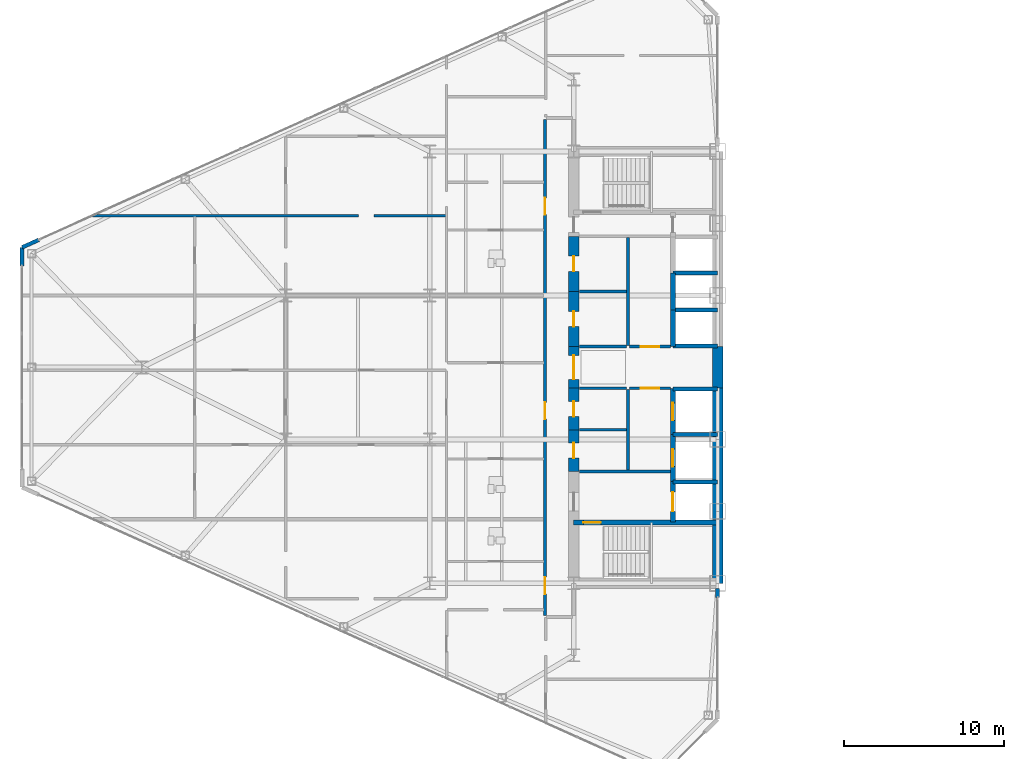
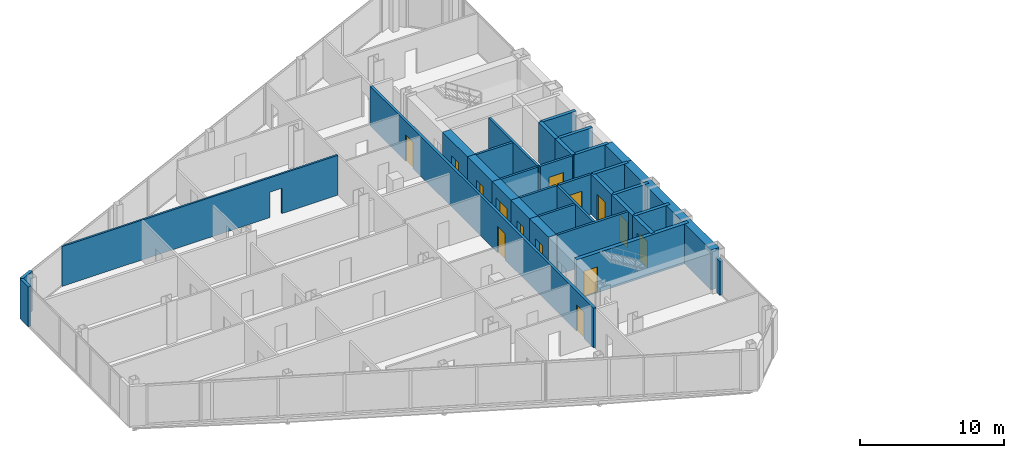
# One storey, part 20 of 27: 33 walls, 14 doors, 15 openings.
"""IFC4 building model written with IfcOpenShell, lengths in metres."""

from ifc_helpers import new_model, si_unit, direction, frame, frame_2d, origin, place, context, subcontext, project, spatial, rectangle, extrude, source, transform, mapped, material, layer, layer_set, type_object, type_shapes, element, fill, save


model = new_model("IFC4")

# Units and contexts
model_context = context("Model", 3, precision=1e-05, world=origin(), true_north=direction((0.0, 1.0)))
body_context = subcontext(model_context, "Body", "Model", "MODEL_VIEW")
ifc_project = project(units=[si_unit("LENGTHUNIT", "METRE"), si_unit("AREAUNIT", "SQUARE_METRE"), si_unit("VOLUMEUNIT", "CUBIC_METRE"), si_unit("PLANEANGLEUNIT", "RADIAN"), si_unit("MASSUNIT", "GRAM", prefix="KILO")], contexts=[model_context])

# Site, building, storey
site_placement = place(None, origin())
site = spatial("IfcSite", under=ifc_project, at=site_placement, CompositionType="ELEMENT")
building_placement = place(site_placement, origin())
building = spatial("IfcBuilding", under=site, at=building_placement, Name="Seokmaru Belvedere", CompositionType="ELEMENT")
storey_placement = place(building_placement, frame((0.0, 0.0, 69.300048828125)))
storey = spatial("IfcBuildingStorey", under=building, at=storey_placement, Name="L18", CompositionType="ELEMENT", Elevation=69.300048828125)

# Wall, opening
ifc_material_1 = material(Name="Fire-Rated Gypsum Shaftwall")
ifc_layer_1 = layer(ifc_material_1, 0.14990234375)
ifc_layer_set_1 = layer_set([ifc_layer_1], Name="Fire-Rated Gypsum Shaftwall")
wall_type_1 = type_object("IfcWallType", Name="Apartment Fire-Acoustic Room Partition 150", PredefinedType="PARTITIONING", material=ifc_layer_set_1)
wall_1_placement = place(storey_placement, frame((-66.62890625, 9.47998046875, 0.0), z_axis=(0.0, 0.0, 1.0), x_axis=(1.0, 0.0, 0.0)))
wall_1 = element("IfcWall", 1, at=wall_1_placement, inside=storey, type_object=wall_type_1, Name="L18 Interior Partition 021", PredefinedType="PARTITIONING", context=body_context, shape_type="SweptSolid", body=[
    extrude(rectangle(XDim=22.12890625, YDim=0.14990234375, at=frame_2d((11.064453125, 0.0))), origin(), (0.0, 0.0, 1.0), 3.3798828125),
])
opening_1_placement = place(wall_1_placement, frame((16.678955078125, 0.0, 0.0)))
element("IfcOpeningElement", 2, at=opening_1_placement, cuts=wall_1, Name="L18 Cased Opening 026", PredefinedType="OPENING", context=body_context, shape_type="SweptSolid", body=[
    extrude(rectangle(XDim=0.949951171875, YDim=2.14990234375, at=frame_2d((0.47509765625, 1.074951171875))), frame((0.0, 0.0849609375, 0.0), z_axis=(0.0, -1.0, 0.0), x_axis=(1.0, 0.0, 0.0)), (0.0, 0.0, 1.0), 0.169921875),
])

# Walls
ifc_layer_2 = layer(ifc_material_1, 0.179931640625)
ifc_layer_set_2 = layer_set([ifc_layer_2], Name="Fire-Rated Gypsum Shaftwall")
wall_type_2 = type_object("IfcWallType", Name="Core Service Fire Partition 180", PredefinedType="PARTITIONING", material=ifc_layer_set_2)
wall_2_placement = place(storey_placement, frame((-36.14990234375, -6.5, 0.0), z_axis=(0.0, 0.0, 1.0), x_axis=(1.0, 0.0, 0.0)))
element("IfcWall", 3, at=wall_2_placement, inside=storey, type_object=wall_type_2, Name="L18 West Firefighting Lobby Partition", PredefinedType="PARTITIONING", context=body_context, shape_type="SweptSolid", body=[
    extrude(rectangle(XDim=5.699951171875, YDim=0.179931640625, at=frame_2d((2.85009765625, 0.0))), origin(), (0.0, 0.0, 1.0), 3.3798828125),
])
wall_3_placement = place(storey_placement, frame((-33.10009765625, -6.419921875, 0.0), z_axis=(0.0, 0.0, 1.0), x_axis=(0.0, 1.0, 0.0)))
element("IfcWall", 4, at=wall_3_placement, inside=storey, type_object=wall_type_2, Name="L18 West South Core Service Back Wall", PredefinedType="PARTITIONING", context=body_context, shape_type="SweptSolid", body=[
    extrude(rectangle(XDim=5.0400390625, YDim=0.179931640625, at=frame_2d((2.52001953125, 0.0))), origin(), (0.0, 0.0, 1.0), 3.3798828125),
])
wall_4_placement = place(storey_placement, frame((-33.10009765625, 1.3798828125, 0.0), z_axis=(0.0, 0.0, 1.0), x_axis=(0.0, 1.0, 0.0)))
element("IfcWall", 5, at=wall_4_placement, inside=storey, type_object=wall_type_2, Name="L18 West North Core Service Back Wall", PredefinedType="PARTITIONING", context=body_context, shape_type="SweptSolid", body=[
    extrude(rectangle(XDim=6.740234375, YDim=0.179931640625, at=frame_2d((3.3701171875, 0.0))), origin(), (0.0, 0.0, 1.0), 3.3798828125),
])

# Wall, opening, door
wall_5_placement = place(storey_placement, frame((-33.02001953125, -1.300048828125, 0.0), z_axis=(0.0, 0.0, 1.0), x_axis=(1.0, 0.0, 0.0)))
wall_5 = element("IfcWall", 6, at=wall_5_placement, inside=storey, type_object=wall_type_2, Name="L18 West South Lift Lobby Foyer Wall", PredefinedType="PARTITIONING", context=body_context, shape_type="SweptSolid", body=[
    extrude(rectangle(XDim=2.570068359375, YDim=0.179931640625, at=frame_2d((1.28515625, 0.0))), origin(), (0.0, 0.0, 1.0), 3.3798828125),
])
opening_2_placement = place(wall_5_placement, frame((0.7099609375, 0.0, 0.0)))
opening_2 = element("IfcOpeningElement", 7, at=opening_2_placement, cuts=wall_5, Name="Opening D02", PredefinedType="OPENING", context=body_context, shape_type="SweptSolid", body=[
    extrude(rectangle(XDim=1.14990234375, YDim=2.199951171875, at=frame_2d((0.574951171875, 1.10009765625))), frame((0.0, 0.10009765625, 0.0), z_axis=(0.0, -1.0, 0.0), x_axis=(1.0, 0.0, 0.0)), (0.0, 0.0, 1.0), 0.199951171875),
])
ifc_material_2 = material(Name="Fire-Rated Steel Leaf", Category="steel")
door_type_1 = type_object("IfcDoorType", Name="Lobby and Vestibule Fire Door 1150x2200", OperationType="NOTDEFINED", PredefinedType="DOOR", material=ifc_material_2)
shared_shape_1 = source(origin(), body_context, "Body", "SweptSolid", [
    extrude(rectangle(XDim=1.14990234375, YDim=2.199951171875, at=frame_2d((0.574951171875, 1.10009765625))), frame((0.0, 0.02490234375, 0.0), z_axis=(0.0, -1.0, 0.0), x_axis=(1.0, 0.0, 0.0)), (0.0, 0.0, 1.0), 0.050048828125),
])
type_shapes(door_type_1, [shared_shape_1])
door_1_placement = place(opening_2_placement, origin())
door_1 = element("IfcDoor", 8, at=door_1_placement, inside=storey, type_object=door_type_1, Name="L18 West South Core Foyer Door", OperationType="SINGLE_SWING_LEFT", OverallHeight=2.199951171875, OverallWidth=1.14990234375, PredefinedType="DOOR", context=body_context, shape_type="MappedRepresentation", body=[
    mapped(shared_shape_1, transform((0.0, 0.0, 0.0), scale=1.0)),
])
fill(opening_2, door_1)

wall_6_placement = place(storey_placement, frame((-33.02001953125, 1.300048828125, 0.0), z_axis=(0.0, 0.0, 1.0), x_axis=(1.0, 0.0, 0.0)))
wall_6 = element("IfcWall", 9, at=wall_6_placement, inside=storey, type_object=wall_type_2, Name="L18 West North Lift Lobby Foyer Wall", PredefinedType="PARTITIONING", context=body_context, shape_type="SweptSolid", body=[
    extrude(rectangle(XDim=2.570068359375, YDim=0.179931640625, at=frame_2d((1.28515625, 0.0))), origin(), (0.0, 0.0, 1.0), 3.3798828125),
])
opening_3_placement = place(wall_6_placement, frame((0.7099609375, 0.0, 0.0)))
opening_3 = element("IfcOpeningElement", 10, at=opening_3_placement, cuts=wall_6, Name="Opening D02", PredefinedType="OPENING", context=body_context, shape_type="SweptSolid", body=[
    extrude(rectangle(XDim=1.14990234375, YDim=2.199951171875, at=frame_2d((0.574951171875, 1.10009765625))), frame((0.0, 0.10009765625, 0.0), z_axis=(0.0, -1.0, 0.0), x_axis=(1.0, 0.0, 0.0)), (0.0, 0.0, 1.0), 0.199951171875),
])
door_2_placement = place(opening_3_placement, origin())
door_2 = element("IfcDoor", 11, at=door_2_placement, inside=storey, type_object=door_type_1, Name="L18 West North Lift Lobby Door", OperationType="SINGLE_SWING_RIGHT", OverallHeight=2.199951171875, OverallWidth=1.14990234375, PredefinedType="DOOR", context=body_context, shape_type="MappedRepresentation", body=[
    mapped(shared_shape_1, transform((0.0, 0.0, 0.0), scale=1.0)),
])
fill(opening_3, door_2)

# Walls
for number, where, z_axis, x_axis, name in (
    (12, (-36.14990234375, -1.300048828125, 0.0), (0.0, 0.0, 1.0), (1.0, 0.0, 0.0), "L18 West Foyer Side Wall S"),
    (13, (-36.14990234375, 1.300048828125, 0.0), (0.0, 0.0, 1.0), (1.0, 0.0, 0.0), "L18 West Foyer Side Wall N"),
    (14, (-36.14990234375, -3.89990234375, 0.0), (0.0, 0.0, 1.0), (1.0, 0.0, 0.0), "L18 West Core Service Partition 1"),
    (15, (-36.14990234375, 4.75, 0.0), (0.0, 0.0, 1.0), (1.0, 0.0, 0.0), "L18 West Core Service Partition 2"),
):
    element("IfcWall", number, at=place(storey_placement, frame(where, z_axis=z_axis, x_axis=x_axis)), inside=storey, type_object=wall_type_2, Name=name, PredefinedType="PARTITIONING", context=body_context, shape_type="SweptSolid", body=[
        extrude(rectangle(XDim=2.949951171875, YDim=0.179931640625, at=frame_2d((1.47509765625, 0.0))), origin(), (0.0, 0.0, 1.0), 3.3798828125),
    ])
ifc_material_3 = material(Name="Concrete C50 (50 MPa)", Category="concrete")
ifc_layer_3 = layer(ifc_material_3, 0.25)
ifc_layer_set_3 = layer_set([ifc_layer_3], Name="Concrete C50 (50 MPa)")
wall_type_3 = type_object("IfcWallType", Name="Hoistway Transverse Concrete Divider Wall 250", PredefinedType="SHEAR", material=ifc_layer_set_3)
for number, where, z_axis, x_axis, name in (
    (16, (-30.300048828125, -7.14990234375, 0.0), (0.0, 0.0, 1.0), (1.0, 0.0, 0.0), "L18 West Hoistway Divider Core Wall 1"),
    (17, (-30.300048828125, -4.199951171875, 0.0), (0.0, 0.0, 1.0), (1.0, 0.0, 0.0), "L18 West Hoistway Divider Core Wall 2"),
    (18, (-30.300048828125, -1.35009765625, 0.0), (0.0, 0.0, 1.0), (1.0, 0.0, 0.0), "L18 West Hoistway Divider Core Wall 3"),
    (19, (-30.300048828125, 1.35009765625, 0.0), (0.0, 0.0, 1.0), (1.0, 0.0, 0.0), "L18 West Hoistway Divider Core Wall 4"),
    (20, (-30.300048828125, 3.60009765625, 0.0), (0.0, 0.0, 1.0), (1.0, 0.0, 0.0), "L18 West Hoistway Divider Core Wall 5"),
    (21, (-30.300048828125, 5.89990234375, 0.0), (0.0, 0.0, 1.0), (1.0, 0.0, 0.0), "L18 West Hoistway Divider Core Wall 6"),
):
    element("IfcWall", number, at=place(storey_placement, frame(where, z_axis=z_axis, x_axis=x_axis)), inside=storey, type_object=wall_type_3, Name=name, PredefinedType="SHEAR", context=body_context, shape_type="SweptSolid", body=[
        extrude(rectangle(XDim=2.800048828125, YDim=0.25, at=frame_2d((1.39990234375, 0.0))), origin(), (0.0, 0.0, 1.0), 3.3798828125),
    ])

# Wall, openings, doors
ifc_layer_4 = layer(ifc_material_1, 0.199951171875)
ifc_layer_set_4 = layer_set([ifc_layer_4], Name="Fire-Rated Gypsum Shaftwall")
wall_type_4 = type_object("IfcWallType", Name="Inter-Tenancy Fire Compartment Partition 200", PredefinedType="PARTITIONING", material=ifc_layer_set_4)
wall_7_placement = place(storey_placement, frame((-38.300048828125, -15.514892578125, 0.0), z_axis=(0.0, 0.0, 1.0), x_axis=(0.0, 1.0, 0.0)))
wall_7 = element("IfcWall", 22, at=wall_7_placement, inside=storey, type_object=wall_type_4, Name="L18 Interior Partition 038", PredefinedType="PARTITIONING", context=body_context, shape_type="SweptSolid", body=[
    extrude(rectangle(XDim=31.02978515625, YDim=0.199951171875, at=frame_2d((15.514892578125, 0.0))), origin(), (0.0, 0.0, 1.0), 3.3798828125),
])
opening_4_placement = place(wall_7_placement, frame((1.344970703125, 0.0, 0.0)))
opening_4 = element("IfcOpeningElement", 23, at=opening_4_placement, cuts=wall_7, Name="Opening D03", PredefinedType="OPENING", context=body_context, shape_type="SweptSolid", body=[
    extrude(rectangle(XDim=1.050048828125, YDim=2.25, at=frame_2d((0.52490234375, 1.125))), frame((0.0, 0.10986328125, 0.0), z_axis=(0.0, -1.0, 0.0), x_axis=(1.0, 0.0, 0.0)), (0.0, 0.0, 1.0), 0.219970703125),
])
opening_5_placement = place(wall_7_placement, frame((12.280029296875, 0.0, 0.0)))
opening_5 = element("IfcOpeningElement", 24, at=opening_5_placement, cuts=wall_7, Name="Opening D03", PredefinedType="OPENING", context=body_context, shape_type="SweptSolid", body=[
    extrude(rectangle(XDim=1.050048828125, YDim=2.25, at=frame_2d((0.52490234375, 1.125))), frame((0.0, 0.10986328125, 0.0), z_axis=(0.0, -1.0, 0.0), x_axis=(1.0, 0.0, 0.0)), (0.0, 0.0, 1.0), 0.219970703125),
])
opening_6_placement = place(wall_7_placement, frame((25.0673828125, 0.0, 0.0)))
opening_6 = element("IfcOpeningElement", 25, at=opening_6_placement, cuts=wall_7, Name="Opening D03", PredefinedType="OPENING", context=body_context, shape_type="SweptSolid", body=[
    extrude(rectangle(XDim=1.050048828125, YDim=2.25, at=frame_2d((0.52490234375, 1.125))), frame((0.0, 0.10986328125, 0.0), z_axis=(0.0, -1.0, 0.0), x_axis=(1.0, 0.0, 0.0)), (0.0, 0.0, 1.0), 0.219970703125),
])
door_type_2 = type_object("IfcDoorType", Name="Apartment Entrance Fire Door 1050x2250", OperationType="NOTDEFINED", PredefinedType="DOOR", material=ifc_material_2)
shared_shape_2 = source(origin(), body_context, "Body", "SweptSolid", [
    extrude(rectangle(XDim=1.050048828125, YDim=2.25, at=frame_2d((0.52490234375, 1.125))), frame((0.0, 0.02490234375, 0.0), z_axis=(0.0, -1.0, 0.0), x_axis=(1.0, 0.0, 0.0)), (0.0, 0.0, 1.0), 0.050048828125),
])
type_shapes(door_type_2, [shared_shape_2])
door_3_placement = place(opening_4_placement, origin())
door_3 = element("IfcDoor", 26, at=door_3_placement, inside=storey, type_object=door_type_2, Name="L18 Interior Door 001", OperationType="SINGLE_SWING_RIGHT", OverallHeight=2.25, OverallWidth=1.050048828125, PredefinedType="DOOR", context=body_context, shape_type="MappedRepresentation", body=[
    mapped(shared_shape_2, transform((0.0, 0.0, 0.0), scale=1.0)),
])
fill(opening_4, door_3)
door_4_placement = place(opening_5_placement, origin())
door_4 = element("IfcDoor", 27, at=door_4_placement, inside=storey, type_object=door_type_2, Name="L18 Interior Door 009", OperationType="SINGLE_SWING_LEFT", OverallHeight=2.25, OverallWidth=1.050048828125, PredefinedType="DOOR", context=body_context, shape_type="MappedRepresentation", body=[
    mapped(shared_shape_2, transform((0.0, 0.0, 0.0), scale=1.0)),
])
fill(opening_5, door_4)
door_5_placement = place(opening_6_placement, origin())
door_5 = element("IfcDoor", 28, at=door_5_placement, inside=storey, type_object=door_type_2, Name="L18 Interior Door 021", OperationType="SINGLE_SWING_RIGHT", OverallHeight=2.25, OverallWidth=1.050048828125, PredefinedType="DOOR", context=body_context, shape_type="MappedRepresentation", body=[
    mapped(shared_shape_2, transform((0.0, 0.0, 0.0), scale=1.0)),
])
fill(opening_6, door_5)

# Wall, opening, door
ifc_layer_5 = layer(ifc_material_3, 0.300048828125)
ifc_layer_set_5 = layer_set([ifc_layer_5], Name="Concrete C50 (50 MPa)")
wall_type_5 = type_object("IfcWallType", Name="Internal Core Stair and Hoistway Wall 300", PredefinedType="SHEAR", material=ifc_layer_set_5)
wall_8_placement = place(storey_placement, frame((-36.5, -9.699951171875, 0.0), z_axis=(0.0, 0.0, 1.0), x_axis=(1.0, 0.0, 0.0)))
wall_8 = element("IfcWall", 29, at=wall_8_placement, inside=storey, type_object=wall_type_5, Name="L18 West Stair ST-1 Enclosure Wall", PredefinedType="SHEAR", context=body_context, shape_type="SweptSolid", body=[
    extrude(rectangle(XDim=9.0, YDim=0.300048828125, at=frame_2d((4.5, 0.0))), origin(), (0.0, 0.0, 1.0), 3.3798828125),
])
opening_7_placement = place(wall_8_placement, frame((0.60009765625, 0.0, 0.0)))
opening_7 = element("IfcOpeningElement", 30, at=opening_7_placement, cuts=wall_8, Name="Opening D01", PredefinedType="OPENING", context=body_context, shape_type="SweptSolid", body=[
    extrude(rectangle(XDim=1.10009765625, YDim=2.199951171875, at=frame_2d((0.550048828125, 1.10009765625))), frame((0.0, 0.16015625, 0.0), z_axis=(0.0, -1.0, 0.0), x_axis=(1.0, 0.0, 0.0)), (0.0, 0.0, 1.0), 0.320068359375),
])
door_type_3 = type_object("IfcDoorType", Name="Special Escape Stair Smokeproof Fire Door 1100x2200", OperationType="NOTDEFINED", PredefinedType="DOOR", material=ifc_material_2)
shared_shape_3 = source(origin(), body_context, "Body", "SweptSolid", [
    extrude(rectangle(XDim=1.10009765625, YDim=2.199951171875, at=frame_2d((0.550048828125, 1.10009765625))), frame((0.0, 0.02490234375, 0.0), z_axis=(0.0, -1.0, 0.0), x_axis=(1.0, 0.0, 0.0)), (0.0, 0.0, 1.0), 0.050048828125),
])
type_shapes(door_type_3, [shared_shape_3])
door_6_placement = place(opening_7_placement, frame((1.10009765625, 0.0, 0.0), z_axis=(0.0, 0.0, 1.0), x_axis=(-1.0, 0.0, 0.0)))
door_6 = element("IfcDoor", 31, at=door_6_placement, inside=storey, type_object=door_type_3, Name="L18 West Special Escape Stair ST-1 Door", OperationType="SINGLE_SWING_LEFT", OverallHeight=2.199951171875, OverallWidth=1.10009765625, PredefinedType="DOOR", context=body_context, shape_type="MappedRepresentation", body=[
    mapped(shared_shape_3, transform((0.0, 0.0, 0.0), scale=1.0)),
])
fill(opening_7, door_6)

wall_9_placement = place(storey_placement, frame((-30.300048828125, -9.679931640625, 0.0), z_axis=(0.0, 0.0, 1.0), x_axis=(0.0, 1.0, 0.0)))
wall_9 = element("IfcWall", 32, at=wall_9_placement, inside=storey, type_object=wall_type_5, Name="L18 West Firefighting Lift Shaft Front Wall", PredefinedType="SHEAR", context=body_context, shape_type="SweptSolid", body=[
    extrude(rectangle(XDim=2.559814453125, YDim=0.300048828125, at=frame_2d((1.27978515625, 0.0))), origin(), (0.0, 0.0, 1.0), 3.3798828125),
])
opening_8_placement = place(wall_9_placement, frame((0.679931640625, 0.0, 0.0)))
opening_8 = element("IfcOpeningElement", 33, at=opening_8_placement, cuts=wall_9, Name="Opening LD2", PredefinedType="OPENING", context=body_context, shape_type="SweptSolid", body=[
    extrude(rectangle(XDim=1.199951171875, YDim=2.25, at=frame_2d((0.60009765625, 1.125))), frame((0.0, 0.16015625, 0.0), z_axis=(0.0, -1.0, 0.0), x_axis=(1.0, 0.0, 0.0)), (0.0, 0.0, 1.0), 0.320068359375),
])
ifc_material_4 = material(Name="Stainless Steel 316", Category="steel")
door_type_4 = type_object("IfcDoorType", Name="Firefighting Lift Sliding Landing Door 1200x2250", OperationType="DOUBLE_DOOR_SLIDING", PredefinedType="DOOR", material=ifc_material_4)
shared_shape_4 = source(origin(), body_context, "Body", "SweptSolid", [
    extrude(rectangle(XDim=1.199951171875, YDim=2.25, at=frame_2d((0.60009765625, 1.125))), frame((0.0, 0.02490234375, 0.0), z_axis=(0.0, -1.0, 0.0), x_axis=(1.0, 0.0, 0.0)), (0.0, 0.0, 1.0), 0.050048828125),
])
type_shapes(door_type_4, [shared_shape_4])
door_7_placement = place(opening_8_placement, origin())
door_7 = element("IfcDoor", 34, at=door_7_placement, inside=storey, type_object=door_type_4, Name="L18 West Firefighting Lift Landing Door", OperationType="DOUBLE_DOOR_SLIDING", OverallHeight=2.25, OverallWidth=1.199951171875, PredefinedType="DOOR", context=body_context, shape_type="MappedRepresentation", body=[
    mapped(shared_shape_4, transform((0.0, 0.0, 0.0), scale=1.0)),
])
fill(opening_8, door_7)

wall_10_placement = place(storey_placement, frame((-30.300048828125, -7.1201171875, 0.0), z_axis=(0.0, 0.0, 1.0), x_axis=(0.0, 1.0, 0.0)))
wall_10 = element("IfcWall", 35, at=wall_10_placement, inside=storey, type_object=wall_type_5, Name="L18 West Low-Rise Lift PL-1 Front Wall", PredefinedType="SHEAR", context=body_context, shape_type="SweptSolid", body=[
    extrude(rectangle(XDim=2.920166015625, YDim=0.300048828125, at=frame_2d((1.4599609375, 0.0))), origin(), (0.0, 0.0, 1.0), 3.3798828125),
])
opening_9_placement = place(wall_10_placement, frame((0.909912109375, 0.0, 0.0)))
opening_9 = element("IfcOpeningElement", 36, at=opening_9_placement, cuts=wall_10, Name="Opening LD1", PredefinedType="OPENING", context=body_context, shape_type="SweptSolid", body=[
    extrude(rectangle(XDim=1.10009765625, YDim=2.199951171875, at=frame_2d((0.550048828125, 1.10009765625))), frame((0.0, 0.16015625, 0.0), z_axis=(0.0, -1.0, 0.0), x_axis=(1.0, 0.0, 0.0)), (0.0, 0.0, 1.0), 0.320068359375),
])
door_type_5 = type_object("IfcDoorType", Name="Passenger Lift Sliding Landing Door 1100x2200", OperationType="DOUBLE_DOOR_SLIDING", PredefinedType="DOOR", material=ifc_material_4)
shared_shape_5 = source(origin(), body_context, "Body", "SweptSolid", [
    extrude(rectangle(XDim=1.10009765625, YDim=2.199951171875, at=frame_2d((0.550048828125, 1.10009765625))), frame((0.0, 0.02490234375, 0.0), z_axis=(0.0, -1.0, 0.0), x_axis=(1.0, 0.0, 0.0)), (0.0, 0.0, 1.0), 0.050048828125),
])
type_shapes(door_type_5, [shared_shape_5])
door_8_placement = place(opening_9_placement, origin())
door_8 = element("IfcDoor", 37, at=door_8_placement, inside=storey, type_object=door_type_5, Name="L18 West Low-Rise Lift PL-1 Landing Door", OperationType="DOUBLE_DOOR_SLIDING", OverallHeight=2.199951171875, OverallWidth=1.10009765625, PredefinedType="DOOR", context=body_context, shape_type="MappedRepresentation", body=[
    mapped(shared_shape_5, transform((0.0, 0.0, 0.0), scale=1.0)),
])
fill(opening_9, door_8)

wall_11_placement = place(storey_placement, frame((-30.300048828125, -4.199951171875, 0.0), z_axis=(0.0, 0.0, 1.0), x_axis=(0.0, 1.0, 0.0)))
wall_11 = element("IfcWall", 38, at=wall_11_placement, inside=storey, type_object=wall_type_5, Name="L18 West Low-Rise Lift PL-2 Front Wall", PredefinedType="SHEAR", context=body_context, shape_type="SweptSolid", body=[
    extrude(rectangle(XDim=2.8798828125, YDim=0.300048828125, at=frame_2d((1.43994140625, 0.0))), origin(), (0.0, 0.0, 1.0), 3.3798828125),
])
opening_10_placement = place(wall_11_placement, frame((0.889892578125, 0.0, 0.0)))
opening_10 = element("IfcOpeningElement", 39, at=opening_10_placement, cuts=wall_11, Name="Opening LD1", PredefinedType="OPENING", context=body_context, shape_type="SweptSolid", body=[
    extrude(rectangle(XDim=1.10009765625, YDim=2.199951171875, at=frame_2d((0.550048828125, 1.10009765625))), frame((0.0, 0.16015625, 0.0), z_axis=(0.0, -1.0, 0.0), x_axis=(1.0, 0.0, 0.0)), (0.0, 0.0, 1.0), 0.320068359375),
])
door_9_placement = place(opening_10_placement, origin())
door_9 = element("IfcDoor", 40, at=door_9_placement, inside=storey, type_object=door_type_5, Name="L18 West Low-Rise Lift PL-2 Landing Door", OperationType="DOUBLE_DOOR_SLIDING", OverallHeight=2.199951171875, OverallWidth=1.10009765625, PredefinedType="DOOR", context=body_context, shape_type="MappedRepresentation", body=[
    mapped(shared_shape_5, transform((0.0, 0.0, 0.0), scale=1.0)),
])
fill(opening_10, door_9)

# Walls
wall_12_placement = place(storey_placement, frame((-30.300048828125, 1.320068359375, 0.0), z_axis=(0.0, 0.0, 1.0), x_axis=(0.0, 1.0, 0.0)))
element("IfcWall", 41, at=wall_12_placement, inside=storey, type_object=wall_type_5, Name="L18 West North Hoistway Wall PH1", PredefinedType="SHEAR", context=body_context, shape_type="SweptSolid", body=[
    extrude(rectangle(XDim=2.280029296875, YDim=0.300048828125, at=frame_2d((1.14013671875, 0.0))), origin(), (0.0, 0.0, 1.0), 3.3798828125),
])
wall_13_placement = place(storey_placement, frame((-30.300048828125, 3.60009765625, 0.0), z_axis=(0.0, 0.0, 1.0), x_axis=(0.0, 1.0, 0.0)))
element("IfcWall", 42, at=wall_13_placement, inside=storey, type_object=wall_type_5, Name="L18 West North Hoistway Wall PH2", PredefinedType="SHEAR", context=body_context, shape_type="SweptSolid", body=[
    extrude(rectangle(XDim=2.2998046875, YDim=0.300048828125, at=frame_2d((1.14990234375, 0.0))), origin(), (0.0, 0.0, 1.0), 3.3798828125),
])
ifc_material_5 = material(Name="Concrete C60 (60 MPa)", Category="concrete")
ifc_layer_6 = layer(ifc_material_5, 0.64990234375)
ifc_layer_set_6 = layer_set([ifc_layer_6], Name="Concrete C60 (60 MPa)")
wall_type_6 = type_object("IfcWallType", Name="Mid-Low Reinforced Concrete Core Wall 650", PredefinedType="SHEAR", material=ifc_layer_set_6)
wall_14_placement = place(storey_placement, frame((-27.5, -13.5, 0.0), z_axis=(0.0, 0.0, 1.0), x_axis=(0.0, 1.0, 0.0)))
element("IfcWall", 43, at=wall_14_placement, inside=storey, type_object=wall_type_6, Name="L18 West Portal Spine Core Wall South", PredefinedType="SHEAR", context=body_context, shape_type="SweptSolid", body=[
    extrude(rectangle(XDim=12.199951171875, YDim=0.64990234375, at=frame_2d((6.10009765625, 0.0))), origin(), (0.0, 0.0, 1.0), 3.3798828125),
])
wall_15_placement = place(storey_placement, frame((-27.5, -1.300048828125, 0.0), z_axis=(0.0, 0.0, 1.0), x_axis=(0.0, 1.0, 0.0)))
element("IfcWall", 44, at=wall_15_placement, inside=storey, type_object=wall_type_6, Name="L18 West Portal Spine Core Wall Center", PredefinedType="SHEAR", context=body_context, shape_type="SweptSolid", body=[
    extrude(rectangle(XDim=2.60009765625, YDim=0.64990234375, at=frame_2d((1.300048828125, 0.0))), origin(), (0.0, 0.0, 1.0), 3.3798828125),
])

# Wall, opening, door
wall_16_placement = place(storey_placement, frame((-36.5, -1.300048828125, 0.0), z_axis=(0.0, 0.0, 1.0), x_axis=(0.0, 1.0, 0.0)))
wall_16 = element("IfcWall", 45, at=wall_16_placement, inside=storey, type_object=wall_type_6, Name="L18 West West Core Wall FOY", PredefinedType="SHEAR", context=body_context, shape_type="SweptSolid", body=[
    extrude(rectangle(XDim=2.60009765625, YDim=0.64990234375, at=frame_2d((1.300048828125, 0.0))), origin(), (0.0, 0.0, 1.0), 3.3798828125),
])
opening_11_placement = place(wall_16_placement, frame((0.550048828125, 0.0, 0.0)))
opening_11 = element("IfcOpeningElement", 46, at=opening_11_placement, cuts=wall_16, Name="Opening D08", PredefinedType="OPENING", context=body_context, shape_type="SweptSolid", body=[
    extrude(rectangle(XDim=1.5, YDim=2.300048828125, at=frame_2d((0.75, 1.14990234375))), frame((0.0, 0.3349609375, 0.0), z_axis=(0.0, -1.0, 0.0), x_axis=(1.0, 0.0, 0.0)), (0.0, 0.0, 1.0), 0.669921875),
])
door_type_6 = type_object("IfcDoorType", Name="Cross-Corridor Compartment Double Fire Door 1500x2300", OperationType="DOUBLE_SWING_LEFT", PredefinedType="DOOR", material=ifc_material_2)
shared_shape_6 = source(origin(), body_context, "Body", "SweptSolid", [
    extrude(rectangle(XDim=1.5, YDim=2.300048828125, at=frame_2d((0.75, 1.14990234375))), frame((0.0, 0.02490234375, 0.0), z_axis=(0.0, -1.0, 0.0), x_axis=(1.0, 0.0, 0.0)), (0.0, 0.0, 1.0), 0.050048828125),
])
type_shapes(door_type_6, [shared_shape_6])
door_10_placement = place(opening_11_placement, origin())
door_10 = element("IfcDoor", 47, at=door_10_placement, inside=storey, type_object=door_type_6, Name="L18 West Core Foyer Compartment Door", OperationType="DOUBLE_SWING_LEFT", OverallHeight=2.300048828125, OverallWidth=1.5, PredefinedType="DOOR", context=body_context, shape_type="MappedRepresentation", body=[
    mapped(shared_shape_6, transform((0.0, 0.0, 0.0), scale=1.0)),
])
fill(opening_11, door_10)

wall_17_placement = place(storey_placement, frame((-36.5, -6.5, 0.0), z_axis=(0.0, 0.0, 1.0), x_axis=(0.0, 1.0, 0.0)))
wall_17 = element("IfcWall", 48, at=wall_17_placement, inside=storey, type_object=wall_type_6, Name="L18 West West Core Wall CS1", PredefinedType="SHEAR", context=body_context, shape_type="SweptSolid", body=[
    extrude(rectangle(XDim=2.60009765625, YDim=0.64990234375, at=frame_2d((1.300048828125, 0.0))), origin(), (0.0, 0.0, 1.0), 3.3798828125),
])
opening_12_placement = place(wall_17_placement, frame((0.824951171875, 0.0, 0.0)))
opening_12 = element("IfcOpeningElement", 49, at=opening_12_placement, cuts=wall_17, Name="Opening D04", PredefinedType="OPENING", context=body_context, shape_type="SweptSolid", body=[
    extrude(rectangle(XDim=0.949951171875, YDim=2.14990234375, at=frame_2d((0.47509765625, 1.074951171875))), frame((0.0, 0.3349609375, 0.0), z_axis=(0.0, -1.0, 0.0), x_axis=(1.0, 0.0, 0.0)), (0.0, 0.0, 1.0), 0.669921875),
])
door_type_7 = type_object("IfcDoorType", Name="Core Service Room Fire Door 950x2150", OperationType="NOTDEFINED", PredefinedType="DOOR", material=ifc_material_2)
shared_shape_7 = source(origin(), body_context, "Body", "SweptSolid", [
    extrude(rectangle(XDim=0.949951171875, YDim=2.14990234375, at=frame_2d((0.47509765625, 1.074951171875))), frame((0.0, 0.02490234375, 0.0), z_axis=(0.0, -1.0, 0.0), x_axis=(1.0, 0.0, 0.0)), (0.0, 0.0, 1.0), 0.050048828125),
])
type_shapes(door_type_7, [shared_shape_7])
door_11_placement = place(opening_12_placement, origin())
door_11 = element("IfcDoor", 50, at=door_11_placement, inside=storey, type_object=door_type_7, Name="L18 West Core Service Room Door 1", OperationType="SINGLE_SWING_LEFT", OverallHeight=2.14990234375, OverallWidth=0.949951171875, PredefinedType="DOOR", context=body_context, shape_type="MappedRepresentation", body=[
    mapped(shared_shape_7, transform((0.0, 0.0, 0.0), scale=1.0)),
])
fill(opening_12, door_11)

wall_18_placement = place(storey_placement, frame((-36.5, -3.89990234375, 0.0), z_axis=(0.0, 0.0, 1.0), x_axis=(0.0, 1.0, 0.0)))
wall_18 = element("IfcWall", 51, at=wall_18_placement, inside=storey, type_object=wall_type_6, Name="L18 West West Core Wall CS2", PredefinedType="SHEAR", context=body_context, shape_type="SweptSolid", body=[
    extrude(rectangle(XDim=2.599853515625, YDim=0.64990234375, at=frame_2d((1.2998046875, 0.0))), origin(), (0.0, 0.0, 1.0), 3.3798828125),
])
opening_13_placement = place(wall_18_placement, frame((0.824951171875, 0.0, 0.0)))
opening_13 = element("IfcOpeningElement", 52, at=opening_13_placement, cuts=wall_18, Name="Opening D04", PredefinedType="OPENING", context=body_context, shape_type="SweptSolid", body=[
    extrude(rectangle(XDim=0.949951171875, YDim=2.14990234375, at=frame_2d((0.47509765625, 1.074951171875))), frame((0.0, 0.3349609375, 0.0), z_axis=(0.0, -1.0, 0.0), x_axis=(1.0, 0.0, 0.0)), (0.0, 0.0, 1.0), 0.669921875),
])
door_12_placement = place(opening_13_placement, origin())
door_12 = element("IfcDoor", 53, at=door_12_placement, inside=storey, type_object=door_type_7, Name="L18 West Core Service Room Door 2", OperationType="SINGLE_SWING_RIGHT", OverallHeight=2.14990234375, OverallWidth=0.949951171875, PredefinedType="DOOR", context=body_context, shape_type="MappedRepresentation", body=[
    mapped(shared_shape_7, transform((0.0, 0.0, 0.0), scale=1.0)),
])
fill(opening_13, door_12)

wall_19_placement = place(storey_placement, frame((-36.5, 1.300048828125, 0.0), z_axis=(0.0, 0.0, 1.0), x_axis=(0.0, 1.0, 0.0)))
wall_19 = element("IfcWall", 54, at=wall_19_placement, inside=storey, type_object=wall_type_6, Name="L18 West West Core Wall CS3", PredefinedType="SHEAR", context=body_context, shape_type="SweptSolid", body=[
    extrude(rectangle(XDim=3.449951171875, YDim=0.64990234375, at=frame_2d((1.72509765625, 0.0))), origin(), (0.0, 0.0, 1.0), 3.3798828125),
])
opening_14_placement = place(wall_19_placement, frame((1.25, 0.0, 0.0)))
opening_14 = element("IfcOpeningElement", 55, at=opening_14_placement, cuts=wall_19, Name="Opening D04", PredefinedType="OPENING", context=body_context, shape_type="SweptSolid", body=[
    extrude(rectangle(XDim=0.949951171875, YDim=2.14990234375, at=frame_2d((0.47509765625, 1.074951171875))), frame((0.0, 0.3349609375, 0.0), z_axis=(0.0, -1.0, 0.0), x_axis=(1.0, 0.0, 0.0)), (0.0, 0.0, 1.0), 0.669921875),
])
door_13_placement = place(opening_14_placement, origin())
door_13 = element("IfcDoor", 56, at=door_13_placement, inside=storey, type_object=door_type_7, Name="L18 West Core Service Room Door 3", OperationType="SINGLE_SWING_LEFT", OverallHeight=2.14990234375, OverallWidth=0.949951171875, PredefinedType="DOOR", context=body_context, shape_type="MappedRepresentation", body=[
    mapped(shared_shape_7, transform((0.0, 0.0, 0.0), scale=1.0)),
])
fill(opening_14, door_13)

wall_20_placement = place(storey_placement, frame((-36.5, 4.75, 0.0), z_axis=(0.0, 0.0, 1.0), x_axis=(0.0, 1.0, 0.0)))
wall_20 = element("IfcWall", 57, at=wall_20_placement, inside=storey, type_object=wall_type_6, Name="L18 West West Core Wall CS4", PredefinedType="SHEAR", context=body_context, shape_type="SweptSolid", body=[
    extrude(rectangle(XDim=3.449951171875, YDim=0.64990234375, at=frame_2d((1.72509765625, 0.0))), origin(), (0.0, 0.0, 1.0), 3.3798828125),
])
opening_15_placement = place(wall_20_placement, frame((1.25, 0.0, 0.0)))
opening_15 = element("IfcOpeningElement", 58, at=opening_15_placement, cuts=wall_20, Name="Opening D04", PredefinedType="OPENING", context=body_context, shape_type="SweptSolid", body=[
    extrude(rectangle(XDim=0.949951171875, YDim=2.14990234375, at=frame_2d((0.47509765625, 1.074951171875))), frame((0.0, 0.3349609375, 0.0), z_axis=(0.0, -1.0, 0.0), x_axis=(1.0, 0.0, 0.0)), (0.0, 0.0, 1.0), 0.669921875),
])
door_14_placement = place(opening_15_placement, origin())
door_14 = element("IfcDoor", 59, at=door_14_placement, inside=storey, type_object=door_type_7, Name="L18 West Core Service Room Door 4", OperationType="SINGLE_SWING_RIGHT", OverallHeight=2.14990234375, OverallWidth=0.949951171875, PredefinedType="DOOR", context=body_context, shape_type="MappedRepresentation", body=[
    mapped(shared_shape_7, transform((0.0, 0.0, 0.0), scale=1.0)),
])
fill(opening_15, door_14)

# Walls
ifc_material_6 = material(Name="Anodised Bronze Aluminium", Category="aluminium")
ifc_layer_7 = layer(ifc_material_6, 0.239990234375)
ifc_layer_set_7 = layer_set([ifc_layer_7], Name="Anodised Bronze Aluminium")
wall_type_7 = type_object("IfcWallType", Name="Tower Corner Spandrel Closure Wall 240", PredefinedType="SOLIDWALL", material=ifc_layer_set_7)
wall_21_placement = place(storey_placement, frame((-27.5, -14.3798828125, 0.0), z_axis=(0.0, 0.0, 1.0), x_axis=(0.0, 1.0, 0.0)))
element("IfcWall", 60, at=wall_21_placement, inside=storey, type_object=wall_type_7, Name="L18 W Spine Closure Pier 1B", PredefinedType="SOLIDWALL", context=body_context, shape_type="SweptSolid", body=[
    extrude(rectangle(XDim=0.5498046875, YDim=0.239990234375, at=frame_2d((0.27490234375, 0.0))), origin(), (0.0, 0.0, 1.0), 2.8798828125),
])
for number, where, z_axis, x_axis, name in (
    (61, (-69.951416015625, 7.971923828125, 0.0), (0.0, 0.0, 1.0), (-0.911929519623, -0.410346866979, 0.0), "L18 W Corner Closure Pier 3B"),
    (62, (-71.0, 7.489990234375, 0.0), (0.0, 0.0, 1.0), (0.0, -1.0, 0.0), "L18 W Corner Closure Pier 4A"),
):
    element("IfcWall", number, at=place(storey_placement, frame(where, z_axis=z_axis, x_axis=x_axis)), inside=storey, type_object=wall_type_7, Name=name, PredefinedType="SOLIDWALL", context=body_context, shape_type="SweptSolid", body=[
        extrude(rectangle(XDim=1.139892578125, YDim=0.239990234375, at=frame_2d((0.56982421875, 0.0))), origin(), (0.0, 0.0, 1.0), 3.3798828125),
    ])

save(model, "model.ifc")
